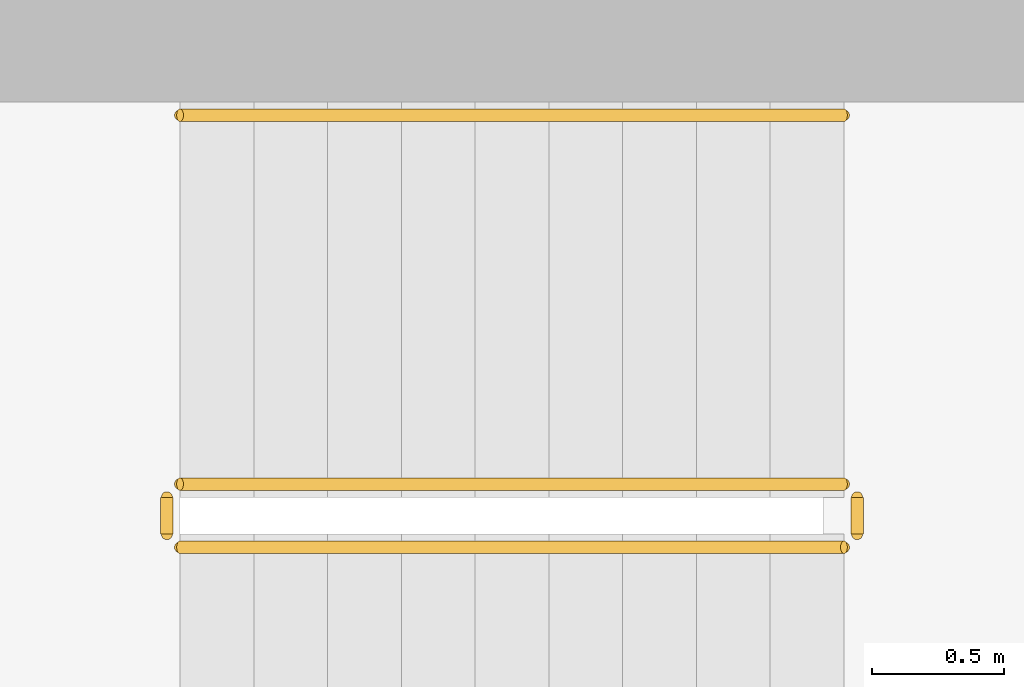
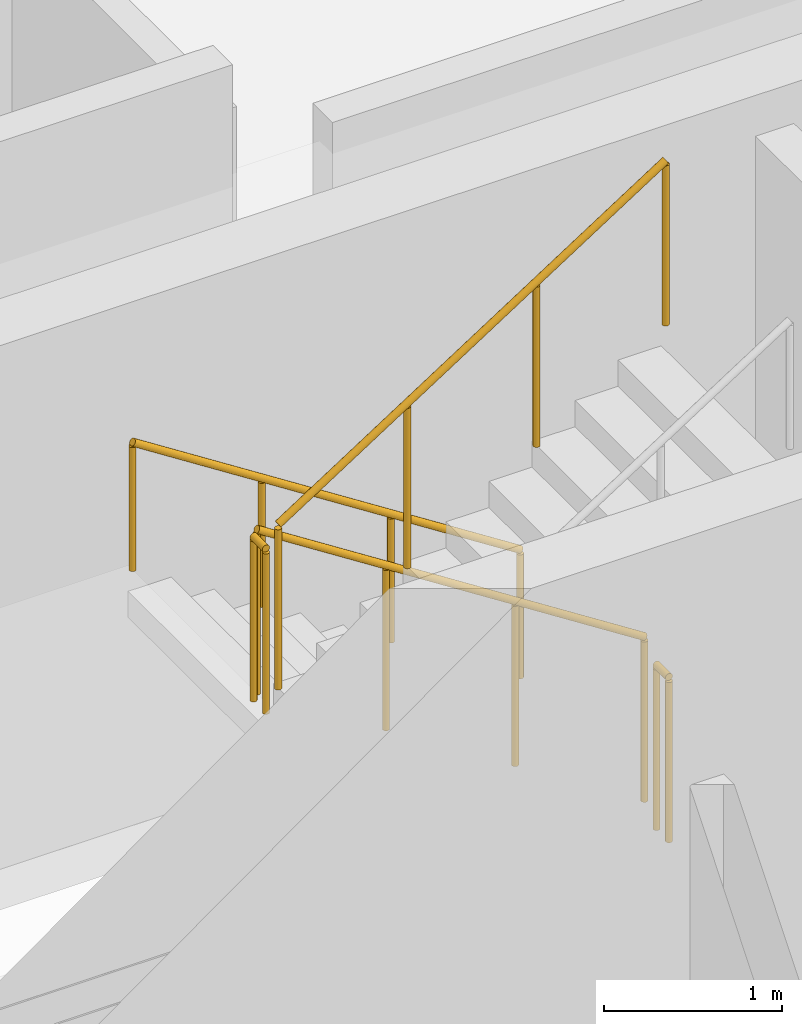
# One storey, part 13 of 14: 5 railings.
"""IFC4 building model written with IfcOpenShell, lengths in metres."""

from ifc_helpers import new_model, si_unit, derived_unit, direction, frame, origin, origin_2d, place, context, subcontext, project, spatial, circle, extrude, material, type_object, element, save


model = new_model("IFC4")

# Units and contexts
model_context = context("Model", 3, precision=1e-05, world=origin(), true_north=direction((0.0, 1.0)))
body_context = subcontext(model_context, "Body", "Model", "MODEL_VIEW")
ifc_project = project(units=[si_unit("LENGTHUNIT", "METRE"), si_unit("AREAUNIT", "SQUARE_METRE"), si_unit("VOLUMEUNIT", "CUBIC_METRE"), si_unit("PLANEANGLEUNIT", "RADIAN"), si_unit("MASSUNIT", "GRAM", prefix="KILO"), derived_unit("THERMALTRANSMITTANCEUNIT", [(si_unit("POWERUNIT", "WATT"), 1), (si_unit("LENGTHUNIT", "METRE"), -2), (si_unit("THERMODYNAMICTEMPERATUREUNIT", "KELVIN"), -1)])], contexts=[model_context])

# Site, building, storey
site_placement = place(None, origin())
site = spatial("IfcSite", under=ifc_project, at=site_placement, CompositionType="ELEMENT")
building_placement = place(site_placement, origin())
building = spatial("IfcBuilding", under=site, at=building_placement, Name="Kivonza Crest Hotel", CompositionType="ELEMENT")
storey_placement = place(building_placement, frame((0.0, 0.0, 209.89990234375)))
storey = spatial("IfcBuildingStorey", under=building, at=storey_placement, Name="L57", CompositionType="ELEMENT", Elevation=209.89990234375)

# Railings
ifc_material_1 = material(Name="Brushed stainless steel handrail", Category="steel")
railing_type_1 = type_object("IfcRailingType", Name="RL-HAND-900", PredefinedType="HANDRAIL", material=ifc_material_1)
railing_1_placement = place(storey_placement, frame((12.239990234375, 36.110107421875, 0.18017578125)))
element("IfcRailing", 1, at=railing_1_placement, inside=storey, type_object=railing_type_1, Name="L57 ST-T1-N stair handrail 1", PredefinedType="HANDRAIL", context=body_context, shape_type="SweptSolid", body=[
    extrude(circle(Radius=0.02392578125, at=origin_2d()), frame((0.0, 0.0, 0.8759765625), z_axis=(-0.841199657755, 0.0, 0.540724639528), x_axis=(0.0, -1.0, 0.0)), (0.0, 0.0, 1.0), 2.995849609375),
    extrude(circle(Radius=0.02099609375, at=origin_2d()), origin(), (0.0, 0.0, 1.0), 0.851806640625),
    extrude(circle(Radius=0.02099609375, at=origin_2d()), frame((-0.840087890625, 0.0, 0.5400390625)), (0.0, 0.0, 1.0), 0.851806640625),
    extrude(circle(Radius=0.02099609375, at=origin_2d()), frame((-1.679931640625, 0.0, 1.079833984375)), (0.0, 0.0, 1.0), 0.851806640625),
    extrude(circle(Radius=0.02099609375, at=origin_2d()), frame((-2.52001953125, 0.0, 1.619873046875)), (0.0, 0.0, 1.0), 0.851806640625),
])
ifc_material_2 = material(Name="Painted steel balustrade", Category="steel")
railing_type_2 = type_object("IfcRailingType", Name="RL-STAIR-1150", PredefinedType="BALUSTRADE", material=ifc_material_2)
railing_2_placement = place(storey_placement, frame((12.239990234375, 34.7099609375, 0.18017578125)))
element("IfcRailing", 2, at=railing_2_placement, inside=storey, type_object=railing_type_2, Name="L57 ST-T1-N stair guard 1", PredefinedType="BALUSTRADE", context=body_context, shape_type="SweptSolid", body=[
    extrude(circle(Radius=0.02392578125, at=origin_2d()), frame((0.0, 0.0, 1.1259765625), z_axis=(-0.841199657755, 0.0, 0.540724639528), x_axis=(0.0, -1.0, 0.0)), (0.0, 0.0, 1.0), 2.995849609375),
    extrude(circle(Radius=0.02099609375, at=origin_2d()), origin(), (0.0, 0.0, 1.0), 1.101806640625),
    extrude(circle(Radius=0.02099609375, at=origin_2d()), frame((-0.840087890625, 0.0, 0.5400390625)), (0.0, 0.0, 1.0), 1.101806640625),
    extrude(circle(Radius=0.02099609375, at=origin_2d()), frame((-1.679931640625, 0.0, 1.079833984375)), (0.0, 0.0, 1.0), 1.101806640625),
    extrude(circle(Radius=0.02099609375, at=origin_2d()), frame((-2.52001953125, 0.0, 1.619873046875)), (0.0, 0.0, 1.0), 1.101806640625),
])
railing_3_placement = place(storey_placement, frame((9.669921875, 34.659912109375, 1.800048828125)))
element("IfcRailing", 3, at=railing_3_placement, inside=storey, type_object=railing_type_2, Name="L57 ST-T1-N stair guard 2", PredefinedType="BALUSTRADE", context=body_context, shape_type="SweptSolid", body=[
    extrude(circle(Radius=0.02392578125, at=origin_2d()), frame((0.0, 0.0, 1.1259765625), z_axis=(0.0, -1.0, 0.0), x_axis=(1.0, 0.0, 0.0)), (0.0, 0.0, 1.0), 0.139892578125),
    extrude(circle(Radius=0.02099609375, at=origin_2d()), origin(), (0.0, 0.0, 1.0), 1.101806640625),
    extrude(circle(Radius=0.02099609375, at=origin_2d()), frame((0.0, -0.139892578125, 0.0)), (0.0, 0.0, 1.0), 1.101806640625),
])
railing_4_placement = place(storey_placement, frame((9.719970703125, 34.469970703125, 1.97998046875)))
element("IfcRailing", 4, at=railing_4_placement, inside=storey, type_object=railing_type_2, Name="L57 ST-T1-N stair guard 3", PredefinedType="BALUSTRADE", context=body_context, shape_type="SweptSolid", body=[
    extrude(circle(Radius=0.02392578125, at=origin_2d()), frame((0.0, 0.0, 1.1259765625), z_axis=(0.841162588446, 0.0, 0.540782303519), x_axis=(0.0, 1.0, 0.0)), (0.0, 0.0, 1.0), 2.995849609375),
    extrude(circle(Radius=0.02099609375, at=origin_2d()), origin(), (0.0, 0.0, 1.0), 1.101806640625),
    extrude(circle(Radius=0.02099609375, at=origin_2d()), frame((0.840087890625, 0.0, 0.5400390625)), (0.0, 0.0, 1.0), 1.101806640625),
    extrude(circle(Radius=0.02099609375, at=origin_2d()), frame((1.679931640625, 0.0, 1.080078125)), (0.0, 0.0, 1.0), 1.101806640625),
    extrude(circle(Radius=0.02099609375, at=origin_2d()), frame((2.52001953125, 0.0, 1.6201171875)), (0.0, 0.0, 1.0), 1.101806640625),
])
railing_5_placement = place(storey_placement, frame((12.2900390625, 34.659912109375, 0.0)))
element("IfcRailing", 5, at=railing_5_placement, inside=storey, type_object=railing_type_2, Name="L57 ST-T1-N stair guard 4", PredefinedType="BALUSTRADE", context=body_context, shape_type="SweptSolid", body=[
    extrude(circle(Radius=0.02392578125, at=origin_2d()), frame((0.0, 0.0, 1.1259765625), z_axis=(0.0, -1.0, 0.0), x_axis=(1.0, 0.0, 0.0)), (0.0, 0.0, 1.0), 0.139892578125),
    extrude(circle(Radius=0.02099609375, at=origin_2d()), origin(), (0.0, 0.0, 1.0), 1.101806640625),
    extrude(circle(Radius=0.02099609375, at=origin_2d()), frame((0.0, -0.139892578125, 0.0)), (0.0, 0.0, 1.0), 1.101806640625),
])

save(model, "model.ifc")
